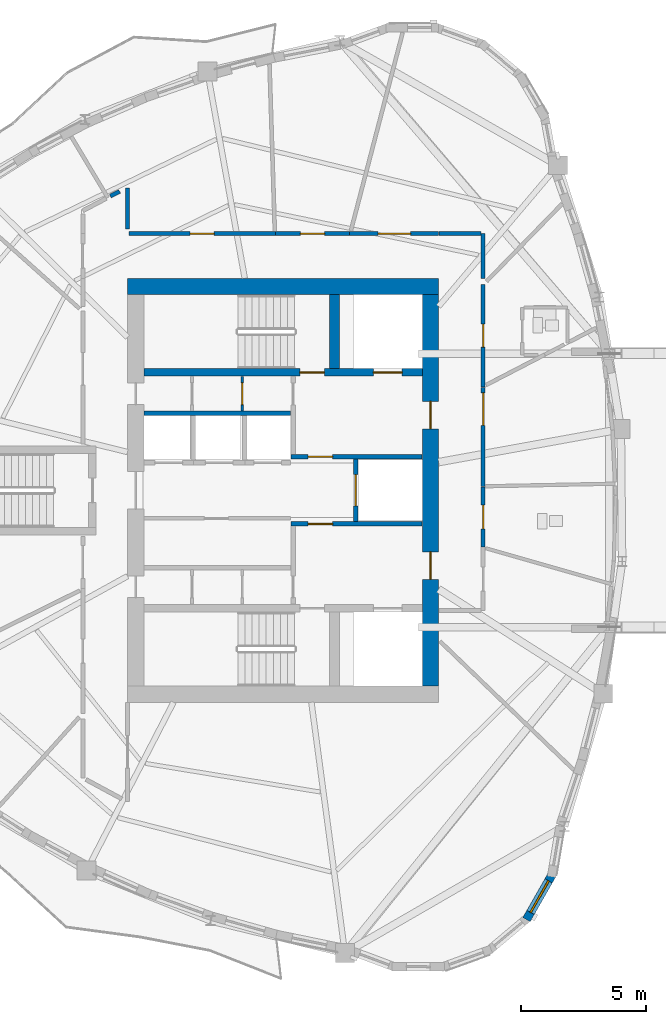
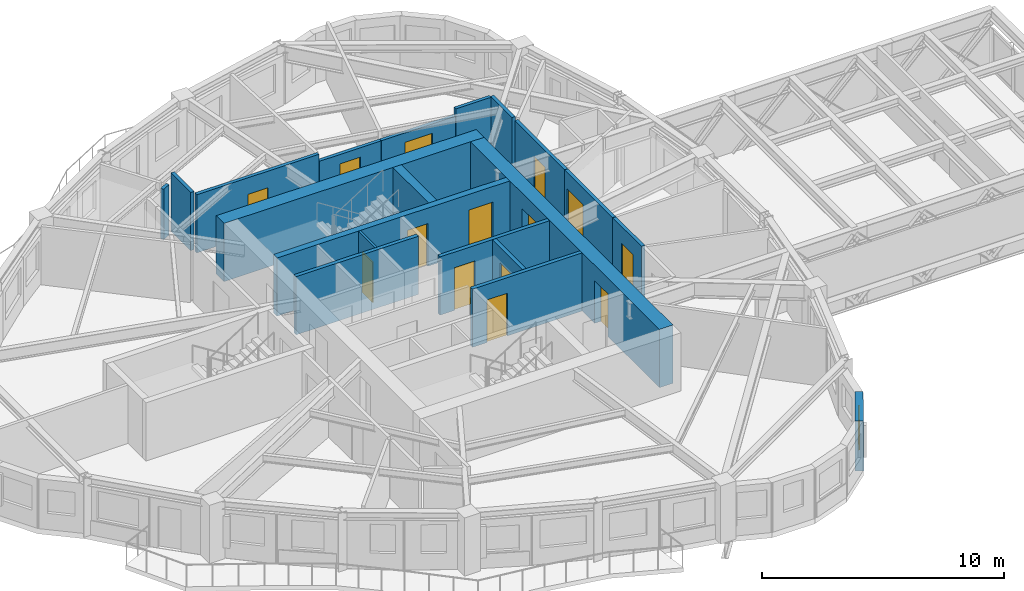
# One storey, part 7 of 13: 20 walls, 14 doors, 1 window, 15 openings.
"""IFC4 building model written with IfcOpenShell, lengths in metres."""

import ifcopenshell
import ifcopenshell.guid

model = None  # the IFC model being written
_history = None  # IfcOwnerHistory: only IFC2X3 demands one
_inside = {}  # id of a spatial element -> (the spatial element, [elements in it])
_under = {}  # id of a project, library or spatial element -> (it, [spatial elements below it])
_declared = {}  # id of a project -> (the project, [libraries it declares])
_typed = {}  # id of a type object -> (the type object, [elements of that type])
_made_of = {}  # id of a material, layer set ... -> (it, [elements and type objects made of it])


def new_model(schema):
    """Start an empty IFC model of exactly this schema.

    Asked for "IFC4X3", IfcOpenShell would pick the latest addendum, in which some entities
    have other attributes; the version numbers below select the first issue.
    IFC2X3 requires an IfcOwnerHistory on every rooted entity: one is made here for all.
    """
    global model, _history
    if schema == "IFC4X3":
        model = ifcopenshell.file(schema_version=(4, 3, 0, 0))
    else:
        model = ifcopenshell.file(schema=schema)
    _inside.clear()
    _under.clear()
    _declared.clear()
    _typed.clear()
    _made_of.clear()
    _history = None
    if model.schema == "IFC2X3":
        org = make("IfcOrganization", Name="unknown")
        user = make(
            "IfcPersonAndOrganization",
            ThePerson=make("IfcPerson", FamilyName="unknown"),
            TheOrganization=org,
        )
        app = make(
            "IfcApplication",
            ApplicationDeveloper=org,
            Version="unknown",
            ApplicationFullName="unknown",
            ApplicationIdentifier="unknown",
        )
        _history = make(
            "IfcOwnerHistory",
            OwningUser=user,
            OwningApplication=app,
            ChangeAction="ADDED",
            CreationDate=0,
        )
    return model


def make(cls, **values):
    """One entity of the class cls with the attributes given. An attribute that is None is left unset."""
    return model.create_entity(
        cls, **{name: value for name, value in values.items() if value is not None}
    )


def rooted(cls, **values):
    """An entity with a GlobalId (a new one), such as an element, a storey or a relation."""
    return make(cls, GlobalId=ifcopenshell.guid.new(), OwnerHistory=_history, **values)


def si_unit(unit_type, name, prefix=None):
    """IfcSIUnit, for example si_unit("LENGTHUNIT", "METRE", prefix="MILLI")."""
    return make("IfcSIUnit", UnitType=unit_type, Prefix=prefix, Name=name)


def assignment(units):
    """IfcUnitAssignment: the units of a project."""
    return None if units is None else make("IfcUnitAssignment", Units=units)


def point(xyz):
    """IfcCartesianPoint."""
    return None if xyz is None else make("IfcCartesianPoint", Coordinates=xyz)


def direction(xyz):
    """IfcDirection."""
    return None if xyz is None else make("IfcDirection", DirectionRatios=xyz)


def frame(location, z_axis=None, x_axis=None):
    """IfcAxis2Placement3D, a coordinate frame: its origin and axes. An axis left out is left unset."""
    return make(
        "IfcAxis2Placement3D",
        Location=point(location),
        Axis=direction(z_axis),
        RefDirection=direction(x_axis),
    )


def frame_2d(location, x_axis=None):
    """IfcAxis2Placement2D, a coordinate frame in the plane: its origin and x axis."""
    return make(
        "IfcAxis2Placement2D", Location=point(location), RefDirection=direction(x_axis)
    )


def origin():
    """The frame at (0, 0, 0) with its axes left unset."""
    return frame((0.0, 0.0, 0.0))


def place(relative_to, where):
    """IfcLocalPlacement: puts the frame where relative to a parent placement (None: the world)."""
    return make(
        "IfcLocalPlacement", PlacementRelTo=relative_to, RelativePlacement=where
    )


def context(
    kind, dimensions, precision=None, world=None, true_north=None, identifier=None
):
    """IfcGeometricRepresentationContext, for example the 3D "Model" context."""
    return make(
        "IfcGeometricRepresentationContext",
        ContextIdentifier=identifier,
        ContextType=kind,
        CoordinateSpaceDimension=dimensions,
        Precision=precision,
        WorldCoordinateSystem=world,
        TrueNorth=true_north,
    )


def subcontext(parent, identifier, kind, view, scale=None):
    """IfcGeometricRepresentationSubContext, for example "Body" below "Model"."""
    return make(
        "IfcGeometricRepresentationSubContext",
        ContextIdentifier=identifier,
        ContextType=kind,
        ParentContext=parent,
        TargetScale=scale,
        TargetView=view,
    )


def project(units=None, contexts=None):
    """IfcProject with its units and contexts."""
    return rooted(
        "IfcProject",
        Name="project",
        RepresentationContexts=contexts,
        UnitsInContext=assignment(units),
    )


def spatial(cls, under=None, at=None, **own):
    """A site, building, storey or space (cls), placed at a placement, below another one or the project."""
    s = rooted(cls, ObjectPlacement=at, **own)
    if under is not None:
        _under.setdefault(under.id(), (under, []))[1].append(s)
    return s


def profile(cls, at=None, kind="AREA", **sizes):
    """A parametric profile (cls). Its sizes go by their IFC names, for example OverallWidth=200.0."""
    return make(cls, ProfileType=kind, Position=at, **sizes)


def rectangle(**sizes):
    """IfcRectangleProfileDef."""
    return profile("IfcRectangleProfileDef", **sizes)


def extrude(swept, where, along, depth):
    """IfcExtrudedAreaSolid: the profile swept, set in the frame where, extruded along a direction by depth."""
    return make(
        "IfcExtrudedAreaSolid",
        SweptArea=swept,
        Position=where,
        ExtrudedDirection=direction(along),
        Depth=depth,
    )


def shape(context_of_items, identifier, shape_type, items):
    """IfcShapeRepresentation: the items that make up one representation, for example the "Body"."""
    return make(
        "IfcShapeRepresentation",
        ContextOfItems=context_of_items,
        RepresentationIdentifier=identifier,
        RepresentationType=shape_type,
        Items=items,
    )


def source(mapping_origin, context_of_items, identifier, shape_type, items):
    """IfcRepresentationMap: a shape defined once, which mapped items show again and again."""
    return make(
        "IfcRepresentationMap",
        MappingOrigin=mapping_origin,
        MappedRepresentation=shape(context_of_items, identifier, shape_type, items),
    )


def transform(
    local_origin,
    x_axis=None,
    y_axis=None,
    z_axis=None,
    scale=None,
    scale2=None,
    scale3=None,
    uniform=True,
):
    """IfcCartesianTransformationOperator3D, or its non-uniform kind. x_axis, y_axis, z_axis: its Axis1, 2, 3."""
    if uniform:
        return make(
            "IfcCartesianTransformationOperator3D",
            Axis1=direction(x_axis),
            Axis2=direction(y_axis),
            LocalOrigin=point(local_origin),
            Scale=scale,
            Axis3=direction(z_axis),
        )
    return make(
        "IfcCartesianTransformationOperator3DnonUniform",
        Axis1=direction(x_axis),
        Axis2=direction(y_axis),
        LocalOrigin=point(local_origin),
        Scale=scale,
        Axis3=direction(z_axis),
        Scale2=scale2,
        Scale3=scale3,
    )


def mapped(mapping_source, mapping_target):
    """IfcMappedItem: shows the shape of a source again, moved by a transform."""
    return make(
        "IfcMappedItem", MappingSource=mapping_source, MappingTarget=mapping_target
    )


def material(Name=None, Category=None):
    """IfcMaterial."""
    return make("IfcMaterial", Name=Name, Category=Category)


def layer(
    of_material, thickness, ventilated=None, Name=None, Category=None, Priority=None
):
    """IfcMaterialLayer: one layer of a wall or slab, of a material (None: an air gap)."""
    return make(
        "IfcMaterialLayer",
        Material=of_material,
        LayerThickness=thickness,
        IsVentilated=ventilated,
        Name=Name,
        Category=Category,
        Priority=Priority,
    )


def layer_set(layers, Name=None):
    """IfcMaterialLayerSet."""
    return make("IfcMaterialLayerSet", MaterialLayers=layers, LayerSetName=Name)


def made_of(thing, what):
    """Note that an element or type object is made of a material, layer set ...; save() writes the relation."""
    if what is not None:
        _made_of.setdefault(what.id(), (what, []))[1].append(thing)
    return thing


def type_object(cls, material=None, **own):
    """A type object (cls), such as IfcWallType, which elements share."""
    return made_of(rooted(cls, **own), material)


def element(
    cls,
    number,
    at=None,
    inside=None,
    cuts=None,
    type_object=None,
    material=None,
    context=None,
    identifier="Body",
    shape_type=None,
    held_by="IfcProductDefinitionShape",
    body=None,
    shapes=None,
    **own,
):
    """One element of the class cls, such as IfcWall. Its Tag is "e" and its number.

    at: its placement. inside: the storey or other place that contains it. cuts: it is an
    opening in that element (IfcRelVoidsElement). A single representation is given by context,
    identifier, shape_type and body (its items); several are given by shapes. held_by: the class
    of the entity that holds the representations. save() writes the other relations.
    """
    e = rooted(cls, Tag="e%d" % number, ObjectPlacement=at, **own)
    if body is not None:
        shapes = [shape(context, identifier, shape_type, body)]
    if shapes is not None:
        e.Representation = make(held_by, Representations=shapes)
    if inside is not None:
        _inside.setdefault(inside.id(), (inside, []))[1].append(e)
    if cuts is not None:
        rooted(
            "IfcRelVoidsElement", RelatingBuildingElement=cuts, RelatedOpeningElement=e
        )
    if type_object is not None:
        _typed.setdefault(type_object.id(), (type_object, []))[1].append(e)
    return made_of(e, material)


def fill(opening, filler):
    """IfcRelFillsElement: the door or window that sits in an opening."""
    return rooted(
        "IfcRelFillsElement",
        RelatingOpeningElement=opening,
        RelatedBuildingElement=filler,
    )


def aggregate(whole, parts):
    """IfcRelAggregates: a whole, such as a stair, and the parts it consists of."""
    return rooted("IfcRelAggregates", RelatingObject=whole, RelatedObjects=parts)


def save(model, path):
    """Write the relations noted so far, then the file.

    IfcRelAggregates (storeys below a building ...), IfcRelContainedInSpatialStructure (elements
    in a storey), IfcRelDefinesByType, IfcRelAssociatesMaterial and IfcRelDeclares: one each for
    every whole, place, type object, material and project.
    """
    for whole, parts in _under.values():
        aggregate(whole, parts)
    for where, things in _inside.values():
        rooted(
            "IfcRelContainedInSpatialStructure",
            RelatedElements=things,
            RelatingStructure=where,
        )
    for kind, things in _typed.values():
        rooted("IfcRelDefinesByType", RelatedObjects=things, RelatingType=kind)
    for what, things in _made_of.values():
        rooted("IfcRelAssociatesMaterial", RelatedObjects=things, RelatingMaterial=what)
    for by, libraries in _declared.values():
        rooted("IfcRelDeclares", RelatingContext=by, RelatedDefinitions=libraries)
    model.write(path)


model = new_model("IFC4")

# Units and contexts
model_context = context("Model", 3, precision=1e-05, world=origin(), true_north=direction((0.0, 1.0)))
body_context = subcontext(model_context, "Body", "Model", "MODEL_VIEW")
ifc_project = project(units=[si_unit("LENGTHUNIT", "METRE"), si_unit("AREAUNIT", "SQUARE_METRE"), si_unit("VOLUMEUNIT", "CUBIC_METRE"), si_unit("PLANEANGLEUNIT", "RADIAN"), si_unit("MASSUNIT", "GRAM", prefix="KILO")], contexts=[model_context])

# Site, building, storey
site_placement = place(None, origin())
site = spatial("IfcSite", under=ifc_project, at=site_placement, CompositionType="ELEMENT")
building_placement = place(site_placement, origin())
building = spatial("IfcBuilding", under=site, at=building_placement, Name="Qafzar Sky-Pleat Residences", CompositionType="ELEMENT")
storey_placement = place(building_placement, frame((0.0, 0.0, 152.199951171875)))
storey = spatial("IfcBuildingStorey", under=building, at=storey_placement, Name="L45", CompositionType="ELEMENT", Elevation=152.199951171875)

# Wall, opening, door
ifc_material_1 = material(Name="Acoustic gypsum plasterboard partition", Category="gypsum")
ifc_layer_1 = layer(ifc_material_1, 0.159912109375)
ifc_layer_set_1 = layer_set([ifc_layer_1], Name="Acoustic gypsum plasterboard partition")
wall_type_1 = type_object("IfcWallType", Name="PART-COR-160", PredefinedType="PARTITIONING", material=ifc_layer_set_1)
wall_1_placement = place(storey_placement, frame((24.2080078125, 36.22998046875, 0.0), z_axis=(0.0, 0.0, 1.0), x_axis=(1.0, 0.0, 0.0)))
wall_1 = element("IfcWall", 1, at=wall_1_placement, inside=storey, type_object=wall_type_1, Name="L45 Partition Wall PART-L45-PW-002", PredefinedType="PARTITIONING", context=body_context, shape_type="SweptSolid", body=[
    extrude(rectangle(XDim=5.83203125, YDim=0.159912109375, at=frame_2d((2.916015625, 0.0))), origin(), (0.0, 0.0, 1.0), 2.93505859375),
])
opening_1_placement = place(wall_1_placement, frame((2.4375, 0.0, 0.0)))
opening_1 = element("IfcOpeningElement", 2, at=opening_1_placement, cuts=wall_1, Name="Opening ID-06", PredefinedType="OPENING", context=body_context, shape_type="SweptSolid", body=[
    extrude(rectangle(XDim=0.9599609375, YDim=2.10009765625, at=frame_2d((0.47998046875, 1.050048828125))), frame((0.0, 0.08984375, 0.0), z_axis=(0.0, -1.0, 0.0), x_axis=(1.0, 0.0, 0.0)), (0.0, 0.0, 1.0), 0.179931640625),
])
ifc_material_2 = material(Name="Timber-faced fire door", Category="wood")
door_type_1 = type_object("IfcDoorType", Name="DR-STD-960", OperationType="NOTDEFINED", PredefinedType="DOOR", material=ifc_material_2)
shared_shape_1 = source(origin(), body_context, "Body", "SweptSolid", [
    extrude(rectangle(XDim=0.9599609375, YDim=2.10009765625, at=frame_2d((0.47998046875, 1.050048828125))), frame((0.0, 0.02490234375, 0.0), z_axis=(0.0, -1.0, 0.0), x_axis=(1.0, 0.0, 0.0)), (0.0, 0.0, 1.0), 0.050048828125),
])
door_1_placement = place(opening_1_placement, origin())
door_1 = element("IfcDoor", 3, at=door_1_placement, inside=storey, type_object=door_type_1, Name="L45 Faculty Research Office Door", OperationType="SINGLE_SWING_LEFT", OverallHeight=2.10009765625, OverallWidth=0.9599609375, PredefinedType="DOOR", context=body_context, shape_type="MappedRepresentation", body=[
    mapped(shared_shape_1, transform((0.0, 0.0, 0.0), x_axis=(1.0, 0.0, 0.0), y_axis=(0.0, 1.0, 0.0), z_axis=(0.0, 0.0, 1.0), scale=1.0)),
])
fill(opening_1, door_1)

wall_2_placement = place(storey_placement, frame((38.330078125, 34.214111328125, 0.0), z_axis=(0.0, 0.0, 1.0), x_axis=(0.0, -1.0, 0.0)))
wall_2 = element("IfcWall", 4, at=wall_2_placement, inside=storey, type_object=wall_type_1, Name="L45 Partition Wall PART-L45-PW-005", PredefinedType="PARTITIONING", context=body_context, shape_type="SweptSolid", body=[
    extrude(rectangle(XDim=4.093017578125, YDim=0.159912109375, at=frame_2d((2.04638671875, 0.0))), origin(), (0.0, 0.0, 1.0), 2.93505859375),
])
opening_2_placement = place(wall_2_placement, frame((1.589111328125, 0.0, 0.0)))
opening_2 = element("IfcOpeningElement", 5, at=opening_2_placement, cuts=wall_2, Name="Opening ID-04", PredefinedType="OPENING", context=body_context, shape_type="SweptSolid", body=[
    extrude(rectangle(XDim=0.919921875, YDim=2.10009765625, at=frame_2d((0.4599609375, 1.050048828125))), frame((0.0, 0.08984375, 0.0), z_axis=(0.0, -1.0, 0.0), x_axis=(1.0, 0.0, 0.0)), (0.0, 0.0, 1.0), 0.179931640625),
])
door_type_2 = type_object("IfcDoorType", Name="DR-BED-920", OperationType="NOTDEFINED", PredefinedType="DOOR", material=ifc_material_2)
shared_shape_2 = source(origin(), body_context, "Body", "SweptSolid", [
    extrude(rectangle(XDim=0.919921875, YDim=2.10009765625, at=frame_2d((0.4599609375, 1.050048828125))), frame((0.0, 0.02490234375, 0.0), z_axis=(0.0, -1.0, 0.0), x_axis=(1.0, 0.0, 0.0)), (0.0, 0.0, 1.0), 0.050048828125),
])
door_2_placement = place(opening_2_placement, origin())
door_2 = element("IfcDoor", 6, at=door_2_placement, inside=storey, type_object=door_type_2, Name="L45 Co-Living Bedroom 1 Door", OperationType="SINGLE_SWING_LEFT", OverallHeight=2.10009765625, OverallWidth=0.919921875, PredefinedType="DOOR", context=body_context, shape_type="MappedRepresentation", body=[
    mapped(shared_shape_2, transform((0.0, 0.0, 0.0), x_axis=(1.0, 0.0, 0.0), y_axis=(0.0, 1.0, 0.0), z_axis=(0.0, 0.0, 1.0), scale=1.0)),
])
fill(opening_2, door_2)

wall_3_placement = place(storey_placement, frame((38.330078125, 30.10595703125, 0.0), z_axis=(0.0, 0.0, 1.0), x_axis=(0.0, -1.0, 0.0)))
wall_3 = element("IfcWall", 7, at=wall_3_placement, inside=storey, type_object=wall_type_1, Name="L45 Partition Wall PART-L45-PW-006", PredefinedType="PARTITIONING", context=body_context, shape_type="SweptSolid", body=[
    extrude(rectangle(XDim=3.9619140625, YDim=0.159912109375, at=frame_2d((1.98095703125, 0.0))), origin(), (0.0, 0.0, 1.0), 2.93505859375),
])
opening_3_placement = place(wall_3_placement, frame((0.219970703125, 0.0, 0.0)))
opening_3 = element("IfcOpeningElement", 8, at=opening_3_placement, cuts=wall_3, Name="Opening ID-05", PredefinedType="OPENING", context=body_context, shape_type="SweptSolid", body=[
    extrude(rectangle(XDim=1.300048828125, YDim=2.10009765625, at=frame_2d((0.64990234375, 1.050048828125))), frame((0.0, 0.08984375, 0.0), z_axis=(0.0, -1.0, 0.0), x_axis=(1.0, 0.0, 0.0)), (0.0, 0.0, 1.0), 0.179931640625),
])
door_type_3 = type_object("IfcDoorType", Name="DR-LNG-1300", OperationType="DOUBLE_DOOR_SINGLE_SWING", PredefinedType="DOOR", material=ifc_material_2)
shared_shape_3 = source(origin(), body_context, "Body", "SweptSolid", [
    extrude(rectangle(XDim=1.300048828125, YDim=2.10009765625, at=frame_2d((0.64990234375, 1.050048828125))), frame((0.0, 0.02490234375, 0.0), z_axis=(0.0, -1.0, 0.0), x_axis=(1.0, 0.0, 0.0)), (0.0, 0.0, 1.0), 0.050048828125),
])
door_3_placement = place(opening_3_placement, origin())
door_3 = element("IfcDoor", 9, at=door_3_placement, inside=storey, type_object=door_type_3, Name="L45 Co-Living Lounge Door", OperationType="DOUBLE_DOOR_SINGLE_SWING", OverallHeight=2.10009765625, OverallWidth=1.300048828125, PredefinedType="DOOR", context=body_context, shape_type="MappedRepresentation", body=[
    mapped(shared_shape_3, transform((0.0, 0.0, 0.0), x_axis=(1.0, 0.0, 0.0), y_axis=(0.0, 1.0, 0.0), z_axis=(0.0, 0.0, 1.0), scale=1.0)),
])
fill(opening_3, door_3)

wall_4_placement = place(storey_placement, frame((33.008056640625, 36.22998046875, 0.0), z_axis=(0.0, 0.0, 1.0), x_axis=(1.0, 0.0, 0.0)))
wall_4 = element("IfcWall", 10, at=wall_4_placement, inside=storey, type_object=wall_type_1, Name="L45 Partition Wall PART-L45-PW-008", PredefinedType="PARTITIONING", context=body_context, shape_type="SweptSolid", body=[
    extrude(rectangle(XDim=3.5419921875, YDim=0.159912109375, at=frame_2d((1.77099609375, 0.0))), origin(), (0.0, 0.0, 1.0), 2.572998046875),
])
opening_4_placement = place(wall_4_placement, frame((1.12890625, 0.0, 0.0)))
opening_4 = element("IfcOpeningElement", 11, at=opening_4_placement, cuts=wall_4, Name="Opening ID-05", PredefinedType="OPENING", context=body_context, shape_type="SweptSolid", body=[
    extrude(rectangle(XDim=1.300048828125, YDim=2.10009765625, at=frame_2d((0.64990234375, 1.050048828125))), frame((0.0, 0.08984375, 0.0), z_axis=(0.0, -1.0, 0.0), x_axis=(1.0, 0.0, 0.0)), (0.0, 0.0, 1.0), 0.179931640625),
])
door_4_placement = place(opening_4_placement, origin())
door_4 = element("IfcDoor", 12, at=door_4_placement, inside=storey, type_object=door_type_3, Name="L45 Graduate Lecture Room Door", OperationType="DOUBLE_DOOR_SINGLE_SWING", OverallHeight=2.10009765625, OverallWidth=1.300048828125, PredefinedType="DOOR", context=body_context, shape_type="MappedRepresentation", body=[
    mapped(shared_shape_3, transform((0.0, 0.0, 0.0), x_axis=(1.0, 0.0, 0.0), y_axis=(0.0, 1.0, 0.0), z_axis=(0.0, 0.0, 1.0), scale=1.0)),
])
fill(opening_4, door_4)

wall_5_placement = place(storey_placement, frame((30.054931640625, 36.22998046875, 0.0), z_axis=(0.0, 0.0, 1.0), x_axis=(1.0, 0.0, 0.0)))
wall_5 = element("IfcWall", 13, at=wall_5_placement, inside=storey, type_object=wall_type_1, Name="L45 Partition Wall PART-L45-PW-009", PredefinedType="PARTITIONING", context=body_context, shape_type="SweptSolid", body=[
    extrude(rectangle(XDim=2.93798828125, YDim=0.159912109375, at=frame_2d((1.468994140625, 0.0))), origin(), (0.0, 0.0, 1.0), 2.572998046875),
])
opening_5_placement = place(wall_5_placement, frame((0.989501953125, 0.0, 0.0)))
opening_5 = element("IfcOpeningElement", 14, at=opening_5_placement, cuts=wall_5, Name="Opening ID-06", PredefinedType="OPENING", context=body_context, shape_type="SweptSolid", body=[
    extrude(rectangle(XDim=0.9599609375, YDim=2.10009765625, at=frame_2d((0.47998046875, 1.050048828125))), frame((0.0, 0.08984375, 0.0), z_axis=(0.0, -1.0, 0.0), x_axis=(1.0, 0.0, 0.0)), (0.0, 0.0, 1.0), 0.179931640625),
])
door_5_placement = place(opening_5_placement, origin())
door_5 = element("IfcDoor", 15, at=door_5_placement, inside=storey, type_object=door_type_1, Name="L45 Wellness Yoga Studio Door", OperationType="SINGLE_SWING_RIGHT", OverallHeight=2.10009765625, OverallWidth=0.9599609375, PredefinedType="DOOR", context=body_context, shape_type="MappedRepresentation", body=[
    mapped(shared_shape_1, transform((0.0, 0.0, 0.0), x_axis=(1.0, 0.0, 0.0), y_axis=(0.0, 1.0, 0.0), z_axis=(0.0, 0.0, 1.0), scale=1.0)),
])
fill(opening_5, door_5)

wall_6_placement = place(storey_placement, frame((38.330078125, 26.12890625, 0.0), z_axis=(0.0, 0.0, 1.0), x_axis=(0.0, -1.0, 0.0)))
wall_6 = element("IfcWall", 16, at=wall_6_placement, inside=storey, type_object=wall_type_1, Name="L45 Partition Wall PART-L45-PW-012", PredefinedType="PARTITIONING", context=body_context, shape_type="SweptSolid", body=[
    extrude(rectangle(XDim=2.37890625, YDim=0.159912109375, at=frame_2d((1.189453125, 0.0))), origin(), (0.0, 0.0, 1.0), 2.93505859375),
])
opening_6_placement = place(wall_6_placement, frame((0.715087890625, 0.0, 0.0)))
opening_6 = element("IfcOpeningElement", 17, at=opening_6_placement, cuts=wall_6, Name="Opening ID-08", PredefinedType="OPENING", context=body_context, shape_type="SweptSolid", body=[
    extrude(rectangle(XDim=0.949951171875, YDim=2.10009765625, at=frame_2d((0.47509765625, 1.050048828125))), frame((0.0, 0.08984375, 0.0), z_axis=(0.0, -1.0, 0.0), x_axis=(1.0, 0.0, 0.0)), (0.0, 0.0, 1.0), 0.179931640625),
])
door_type_4 = type_object("IfcDoorType", Name="DR-AWC-950", OperationType="NOTDEFINED", PredefinedType="DOOR", material=ifc_material_2)
shared_shape_4 = source(origin(), body_context, "Body", "SweptSolid", [
    extrude(rectangle(XDim=0.949951171875, YDim=2.10009765625, at=frame_2d((0.47509765625, 1.050048828125))), frame((0.0, 0.02490234375, 0.0), z_axis=(0.0, -1.0, 0.0), x_axis=(1.0, 0.0, 0.0)), (0.0, 0.0, 1.0), 0.050048828125),
])
door_6_placement = place(opening_6_placement, origin())
door_6 = element("IfcDoor", 18, at=door_6_placement, inside=storey, type_object=door_type_4, Name="L45 Accessible Shared Washroom Door", OperationType="SINGLE_SWING_LEFT", OverallHeight=2.10009765625, OverallWidth=0.949951171875, PredefinedType="DOOR", context=body_context, shape_type="MappedRepresentation", body=[
    mapped(shared_shape_4, transform((0.0, 0.0, 0.0), x_axis=(1.0, 0.0, 0.0), y_axis=(0.0, 1.0, 0.0), z_axis=(0.0, 0.0, 1.0), scale=1.0)),
])
fill(opening_6, door_6)

# Walls
wall_7_placement = place(storey_placement, frame((38.330078125, 34.449951171875, 0.0), z_axis=(0.0, 0.0, 1.0), x_axis=(0.0, 1.0, 0.0)))
element("IfcWall", 19, at=wall_7_placement, inside=storey, type_object=wall_type_1, Name="L45 Partition Wall PART-L45-PW-033", PredefinedType="PARTITIONING", context=body_context, shape_type="SweptSolid", body=[
    extrude(rectangle(XDim=1.780029296875, YDim=0.159912109375, at=frame_2d((0.89013671875, 0.0))), origin(), (0.0, 0.0, 1.0), 2.93505859375),
])
wall_8_placement = place(storey_placement, frame((36.56494140625, 36.22998046875, 0.0), z_axis=(0.0, 0.0, 1.0), x_axis=(1.0, 0.0, 0.0)))
element("IfcWall", 20, at=wall_8_placement, inside=storey, type_object=wall_type_1, Name="L45 Partition Wall PART-L45-PW-035", PredefinedType="PARTITIONING", context=body_context, shape_type="SweptSolid", body=[
    extrude(rectangle(XDim=1.677001953125, YDim=0.159912109375, at=frame_2d((0.83837890625, 0.0))), origin(), (0.0, 0.0, 1.0), 2.93505859375),
])
wall_9_placement = place(storey_placement, frame((24.14990234375, 36.4150390625, 0.0), z_axis=(0.0, 0.0, 1.0), x_axis=(0.0, 1.0, 0.0)))
element("IfcWall", 21, at=wall_9_placement, inside=storey, type_object=wall_type_1, Name="L45 Partition Wall PART-L45-PW-036", PredefinedType="PARTITIONING", context=body_context, shape_type="SweptSolid", body=[
    extrude(rectangle(XDim=1.640869140625, YDim=0.159912109375, at=frame_2d((0.8203125, 0.0))), origin(), (0.0, 0.0, 1.0), 2.93505859375),
])
wall_10_placement = place(storey_placement, frame((23.46533203125, 37.723876953125, 0.0), z_axis=(0.0, 0.0, 1.0), x_axis=(0.884344349775, 0.466835164722, 0.0)))
element("IfcWall", 22, at=wall_10_placement, inside=storey, type_object=wall_type_1, Name="L45 Partition Wall PART-L45-PW-046", PredefinedType="PARTITIONING", context=body_context, shape_type="SweptSolid", body=[
    extrude(rectangle(XDim=0.415771484375, YDim=0.159912109375, at=frame_2d((0.2080078125, 0.0))), origin(), (0.0, 0.0, 1.0), 2.54296875),
])

# Wall, opening, door
ifc_material_3 = material(Name="Concrete blockwork partition", Category="masonry")
ifc_layer_2 = layer(ifc_material_3, 0.179931640625)
ifc_layer_set_2 = layer_set([ifc_layer_2], Name="Concrete blockwork partition")
wall_type_2 = type_object("IfcWallType", Name="PART-SHAFT-180", PredefinedType="PARTITIONING", material=ifc_layer_set_2)
wall_11_placement = place(storey_placement, frame((30.669921875, 24.659912109375, 0.0), z_axis=(0.0, 0.0, 1.0), x_axis=(1.0, 0.0, 0.0)))
wall_11 = element("IfcWall", 23, at=wall_11_placement, inside=storey, type_object=wall_type_2, Name="L45 Partition Wall PART-L45-FFL1-N", PredefinedType="PARTITIONING", context=body_context, shape_type="SweptSolid", body=[
    extrude(rectangle(XDim=5.219970703125, YDim=0.179931640625, at=frame_2d((2.60986328125, 0.0))), origin(), (0.0, 0.0, 1.0), 2.93505859375),
])
opening_7_placement = place(wall_11_placement, frame((0.679931640625, 0.0, 0.0)))
opening_7 = element("IfcOpeningElement", 24, at=opening_7_placement, cuts=wall_11, Name="Opening ID-01", PredefinedType="OPENING", context=body_context, shape_type="SweptSolid", body=[
    extrude(rectangle(XDim=0.97998046875, YDim=2.14990234375, at=frame_2d((0.489990234375, 1.074951171875))), frame((0.0, 0.10009765625, 0.0), z_axis=(0.0, -1.0, 0.0), x_axis=(1.0, 0.0, 0.0)), (0.0, 0.0, 1.0), 0.199951171875),
])
door_type_5 = type_object("IfcDoorType", Name="DR-STAIR-980", OperationType="NOTDEFINED", PredefinedType="DOOR", material=ifc_material_2)
shared_shape_5 = source(origin(), body_context, "Body", "SweptSolid", [
    extrude(rectangle(XDim=0.97998046875, YDim=2.14990234375, at=frame_2d((0.489990234375, 1.074951171875))), frame((0.0, 0.02490234375, 0.0), z_axis=(0.0, -1.0, 0.0), x_axis=(1.0, 0.0, 0.0)), (0.0, 0.0, 1.0), 0.050048828125),
])
door_7_placement = place(opening_7_placement, origin())
door_7 = element("IfcDoor", 25, at=door_7_placement, inside=storey, type_object=door_type_5, Name="L45 Lift Lobby to South Firefighting Lobby Door", OperationType="SINGLE_SWING_LEFT", OverallHeight=2.14990234375, OverallWidth=0.97998046875, PredefinedType="DOOR", context=body_context, shape_type="MappedRepresentation", body=[
    mapped(shared_shape_5, transform((0.0, 0.0, 0.0), x_axis=(1.0, 0.0, 0.0), y_axis=(0.0, 1.0, 0.0), z_axis=(0.0, 0.0, 1.0), scale=1.0)),
])
fill(opening_7, door_7)

wall_12_placement = place(storey_placement, frame((30.669921875, 27.340087890625, 0.0), z_axis=(0.0, 0.0, 1.0), x_axis=(1.0, 0.0, 0.0)))
wall_12 = element("IfcWall", 26, at=wall_12_placement, inside=storey, type_object=wall_type_2, Name="L45 Partition Wall PART-L45-FFL2-S", PredefinedType="PARTITIONING", context=body_context, shape_type="SweptSolid", body=[
    extrude(rectangle(XDim=5.219970703125, YDim=0.179931640625, at=frame_2d((2.60986328125, 0.0))), origin(), (0.0, 0.0, 1.0), 2.93505859375),
])
opening_8_placement = place(wall_12_placement, frame((0.679931640625, 0.0, 0.0)))
opening_8 = element("IfcOpeningElement", 27, at=opening_8_placement, cuts=wall_12, Name="Opening ID-01", PredefinedType="OPENING", context=body_context, shape_type="SweptSolid", body=[
    extrude(rectangle(XDim=0.97998046875, YDim=2.14990234375, at=frame_2d((0.489990234375, 1.074951171875))), frame((0.0, 0.10009765625, 0.0), z_axis=(0.0, -1.0, 0.0), x_axis=(1.0, 0.0, 0.0)), (0.0, 0.0, 1.0), 0.199951171875),
])
door_8_placement = place(opening_8_placement, origin())
door_8 = element("IfcDoor", 28, at=door_8_placement, inside=storey, type_object=door_type_5, Name="L45 Lift Lobby to North Firefighting Lobby Door", OperationType="SINGLE_SWING_LEFT", OverallHeight=2.14990234375, OverallWidth=0.97998046875, PredefinedType="DOOR", context=body_context, shape_type="MappedRepresentation", body=[
    mapped(shared_shape_5, transform((0.0, 0.0, 0.0), x_axis=(1.0, 0.0, 0.0), y_axis=(0.0, 1.0, 0.0), z_axis=(0.0, 0.0, 1.0), scale=1.0)),
])
fill(opening_8, door_8)

wall_13_placement = place(storey_placement, frame((33.25, 24.760009765625, 0.0), z_axis=(0.0, 0.0, 1.0), x_axis=(0.0, 1.0, 0.0)))
wall_13 = element("IfcWall", 29, at=wall_13_placement, inside=storey, type_object=wall_type_2, Name="L45 Partition Wall PART-L45-SV1-W", PredefinedType="PARTITIONING", context=body_context, shape_type="SweptSolid", body=[
    extrude(rectangle(XDim=2.47998046875, YDim=0.179931640625, at=frame_2d((1.239990234375, 0.0))), origin(), (0.0, 0.0, 1.0), 2.93505859375),
])
opening_9_placement = place(wall_13_placement, frame((0.614990234375, 0.0, 0.0)))
opening_9 = element("IfcOpeningElement", 30, at=opening_9_placement, cuts=wall_13, Name="Opening LD-03", PredefinedType="OPENING", context=body_context, shape_type="SweptSolid", body=[
    extrude(rectangle(XDim=1.25, YDim=2.14990234375, at=frame_2d((0.625, 1.074951171875))), frame((0.0, 0.10009765625, 0.0), z_axis=(0.0, -1.0, 0.0), x_axis=(1.0, 0.0, 0.0)), (0.0, 0.0, 1.0), 0.199951171875),
])
ifc_material_4 = material(Name="Stainless steel sliding landing door", Category="steel")
door_type_6 = type_object("IfcDoorType", Name="DR-LIFT-SV", OperationType="DOUBLE_DOOR_SLIDING", PredefinedType="DOOR", material=ifc_material_4)
shared_shape_6 = source(origin(), body_context, "Body", "SweptSolid", [
    extrude(rectangle(XDim=1.25, YDim=2.14990234375, at=frame_2d((0.625, 1.074951171875))), frame((0.0, 0.02490234375, 0.0), z_axis=(0.0, -1.0, 0.0), x_axis=(1.0, 0.0, 0.0)), (0.0, 0.0, 1.0), 0.050048828125),
])
door_9_placement = place(opening_9_placement, origin())
door_9 = element("IfcDoor", 31, at=door_9_placement, inside=storey, type_object=door_type_6, Name="L45 Service Lift SV1 Landing Door", OperationType="DOUBLE_DOOR_SLIDING", OverallHeight=2.14990234375, OverallWidth=1.25, PredefinedType="DOOR", context=body_context, shape_type="MappedRepresentation", body=[
    mapped(shared_shape_6, transform((0.0, 0.0, 0.0), x_axis=(1.0, 0.0, 0.0), y_axis=(0.0, 1.0, 0.0), z_axis=(0.0, 0.0, 1.0), scale=1.0)),
])
fill(opening_9, door_9)

# Wall
wall_14_placement = place(storey_placement, frame((24.81005859375, 29.080078125, 0.0), z_axis=(0.0, 0.0, 1.0), x_axis=(1.0, 0.0, 0.0)))
element("IfcWall", 32, at=wall_14_placement, inside=storey, type_object=wall_type_2, Name="L45 Partition Wall PART-L45-P46-N", PredefinedType="PARTITIONING", context=body_context, shape_type="SweptSolid", body=[
    extrude(rectangle(XDim=5.83984375, YDim=0.179931640625, at=frame_2d((2.919921875, 0.0))), origin(), (0.0, 0.0, 1.0), 2.93505859375),
])

# Wall, opening, door
ifc_material_5 = material(Name="Gypsum plasterboard partition", Category="gypsum")
ifc_layer_3 = layer(ifc_material_5, 0.114990234375)
ifc_layer_set_3 = layer_set([ifc_layer_3], Name="Gypsum plasterboard partition")
wall_type_3 = type_object("IfcWallType", Name="PART-SVC-115", PredefinedType="PARTITIONING", material=ifc_layer_set_3)
wall_15_placement = place(storey_placement, frame((28.72509765625, 29.159912109375, 0.0), z_axis=(0.0, 0.0, 1.0), x_axis=(0.0, 1.0, 0.0)))
wall_15 = element("IfcWall", 33, at=wall_15_placement, inside=storey, type_object=wall_type_3, Name="L45 Partition Wall PART-L45-KC-NW-2", PredefinedType="PARTITIONING", context=body_context, shape_type="SweptSolid", body=[
    extrude(rectangle(XDim=1.380126953125, YDim=0.114990234375, at=frame_2d((0.68994140625, 0.0))), origin(), (0.0, 0.0, 1.0), 2.93505859375),
])
opening_10_placement = place(wall_15_placement, frame((0.260009765625, 0.0, 0.0)))
opening_10 = element("IfcOpeningElement", 34, at=opening_10_placement, cuts=wall_15, Name="Opening ID-09", PredefinedType="OPENING", context=body_context, shape_type="SweptSolid", body=[
    extrude(rectangle(XDim=0.860107421875, YDim=2.050048828125, at=frame_2d((0.43017578125, 1.02490234375))), frame((0.0, 0.0673828125, 0.0), z_axis=(0.0, -1.0, 0.0), x_axis=(1.0, 0.0, 0.0)), (0.0, 0.0, 1.0), 0.135009765625),
])
door_type_7 = type_object("IfcDoorType", Name="DR-SVC-860", OperationType="NOTDEFINED", PredefinedType="DOOR", material=ifc_material_2)
shared_shape_7 = source(origin(), body_context, "Body", "SweptSolid", [
    extrude(rectangle(XDim=0.860107421875, YDim=2.050048828125, at=frame_2d((0.43017578125, 1.02490234375))), frame((0.0, 0.02490234375, 0.0), z_axis=(0.0, -1.0, 0.0), x_axis=(1.0, 0.0, 0.0)), (0.0, 0.0, 1.0), 0.050048828125),
])
door_10_placement = place(opening_10_placement, origin())
door_10 = element("IfcDoor", 35, at=door_10_placement, inside=storey, type_object=door_type_7, Name="L45 Core North Cupboard 2 Door", OperationType="SINGLE_SWING_RIGHT", OverallHeight=2.050048828125, OverallWidth=0.860107421875, PredefinedType="DOOR", context=body_context, shape_type="MappedRepresentation", body=[
    mapped(shared_shape_7, transform((0.0, 0.0, 0.0), x_axis=(1.0, 0.0, 0.0), y_axis=(0.0, 1.0, 0.0), z_axis=(0.0, 0.0, 1.0), scale=1.0)),
])
fill(opening_10, door_10)

# Wall, opening, window
ifc_material_6 = material(Name="Precast concrete C40/50 with honed Riyadh limestone", Category="concrete")
ifc_layer_4 = layer(ifc_material_6, 0.340087890625)
ifc_layer_set_4 = layer_set([ifc_layer_4], Name="Precast concrete C40/50 with honed Riyadh limestone")
wall_type_4 = type_object("IfcWallType", Name="WALL-EXT-340", PredefinedType="SOLIDWALL", material=ifc_layer_set_4)
wall_16_placement = place(storey_placement, frame((40.054443359375, 8.886474609375, 0.0), z_axis=(0.0, 0.0, 1.0), x_axis=(0.495852152567, 0.868406956901, 0.0)))
wall_16 = element("IfcWall", 36, at=wall_16_placement, inside=storey, type_object=wall_type_4, Name="L45 Limestone Facade Wall 21", PredefinedType="SOLIDWALL", context=body_context, shape_type="SweptSolid", body=[
    extrude(rectangle(XDim=2.10888671875, YDim=0.340087890625, at=frame_2d((1.054443359375, 0.0))), origin(), (0.0, 0.0, 1.0), 2.51513671875),
])
opening_11_placement = place(wall_16_placement, frame((0.329345703125, 0.0, 0.820068359375)))
opening_11 = element("IfcOpeningElement", 37, at=opening_11_placement, cuts=wall_16, Name="Opening WN-15", PredefinedType="OPENING", context=body_context, shape_type="SweptSolid", body=[
    extrude(rectangle(XDim=1.449951171875, YDim=1.25, at=frame_2d((0.72509765625, 0.625))), frame((0.0, 0.18017578125, 0.0), z_axis=(0.0, -1.0, 0.0), x_axis=(1.0, 0.0, 0.0)), (0.0, 0.0, 1.0), 0.360107421875),
])
ifc_material_7 = material(Name="Solar-control low-E glass in bronze aluminium frame", Category="glass")
window_type = type_object("IfcWindowType", Name="WIN-15", PartitioningType="SINGLE_PANEL", PredefinedType="WINDOW", material=ifc_material_7)
shared_shape_8 = source(origin(), body_context, "Body", "SweptSolid", [
    extrude(rectangle(XDim=1.449951171875, YDim=1.25, at=frame_2d((0.72509765625, 0.625))), frame((0.0, 0.030029296875, 0.0), z_axis=(0.0, -1.0, 0.0), x_axis=(1.0, 0.0, 0.0)), (0.0, 0.0, 1.0), 0.06005859375),
])
window_placement = place(opening_11_placement, origin())
window = element("IfcWindow", 38, at=window_placement, inside=storey, type_object=window_type, Name="L45 Punched Facade Window 21", OverallHeight=1.25, OverallWidth=1.449951171875, PartitioningType="SINGLE_PANEL", PredefinedType="WINDOW", context=body_context, shape_type="MappedRepresentation", body=[
    mapped(shared_shape_8, transform((0.0, 0.0, 0.0), x_axis=(1.0, 0.0, 0.0), y_axis=(0.0, 1.0, 0.0), z_axis=(0.0, 0.0, 1.0), scale=1.0)),
])
fill(opening_11, window)

# Wall, openings, doors
ifc_material_8 = material(Name="Concrete C60/75", Category="concrete")
ifc_layer_5 = layer(ifc_material_8, 0.300048828125)
ifc_layer_set_5 = layer_set([ifc_layer_5], Name="Concrete C60/75")
wall_type_5 = type_object("IfcWallType", Name="WALL-SHEAR-300", PredefinedType="SHEAR", material=ifc_layer_set_5)
wall_17_placement = place(storey_placement, frame((24.800048828125, 30.699951171875, 0.0), z_axis=(0.0, 0.0, 1.0), x_axis=(1.0, 0.0, 0.0)))
wall_17 = element("IfcWall", 39, at=wall_17_placement, inside=storey, type_object=wall_type_5, Name="L45 Stair ST2 and FF2 Shaft South Wall", PredefinedType="SHEAR", context=body_context, shape_type="SweptSolid", body=[
    extrude(rectangle(XDim=11.099853515625, YDim=0.300048828125, at=frame_2d((5.5498046875, 0.0))), origin(), (0.0, 0.0, 1.0), 2.93505859375),
])
opening_12_placement = place(wall_17_placement, frame((6.219970703125, 0.0, 0.0)))
opening_12 = element("IfcOpeningElement", 40, at=opening_12_placement, cuts=wall_17, Name="Opening ID-01", PredefinedType="OPENING", context=body_context, shape_type="SweptSolid", body=[
    extrude(rectangle(XDim=0.97998046875, YDim=2.14990234375, at=frame_2d((0.489990234375, 1.074951171875))), frame((0.0, 0.16015625, 0.0), z_axis=(0.0, -1.0, 0.0), x_axis=(1.0, 0.0, 0.0)), (0.0, 0.0, 1.0), 0.320068359375),
])
opening_13_placement = place(wall_17_placement, frame((9.14990234375, 0.0, 0.0)))
opening_13 = element("IfcOpeningElement", 41, at=opening_13_placement, cuts=wall_17, Name="Opening LD-02", PredefinedType="OPENING", context=body_context, shape_type="SweptSolid", body=[
    extrude(rectangle(XDim=1.14990234375, YDim=2.14990234375, at=frame_2d((0.574951171875, 1.074951171875))), frame((0.0, 0.16015625, 0.0), z_axis=(0.0, -1.0, 0.0), x_axis=(1.0, 0.0, 0.0)), (0.0, 0.0, 1.0), 0.320068359375),
])
door_11_placement = place(opening_12_placement, origin())
door_11 = element("IfcDoor", 42, at=door_11_placement, inside=storey, type_object=door_type_5, Name="L45 Stair ST2 Fire Door", OperationType="SINGLE_SWING_RIGHT", OverallHeight=2.14990234375, OverallWidth=0.97998046875, PredefinedType="DOOR", context=body_context, shape_type="MappedRepresentation", body=[
    mapped(shared_shape_5, transform((0.0, 0.0, 0.0), x_axis=(1.0, 0.0, 0.0), y_axis=(0.0, 1.0, 0.0), z_axis=(0.0, 0.0, 1.0), scale=1.0)),
])
fill(opening_12, door_11)
door_type_8 = type_object("IfcDoorType", Name="DR-LIFT-FF", OperationType="DOUBLE_DOOR_SLIDING", PredefinedType="DOOR", material=ifc_material_4)
shared_shape_9 = source(origin(), body_context, "Body", "SweptSolid", [
    extrude(rectangle(XDim=1.14990234375, YDim=2.14990234375, at=frame_2d((0.574951171875, 1.074951171875))), frame((0.0, 0.02490234375, 0.0), z_axis=(0.0, -1.0, 0.0), x_axis=(1.0, 0.0, 0.0)), (0.0, 0.0, 1.0), 0.050048828125),
])
door_12_placement = place(opening_13_placement, origin())
door_12 = element("IfcDoor", 43, at=door_12_placement, inside=storey, type_object=door_type_8, Name="L45 Firefighting Lift FF2 Landing Door", OperationType="DOUBLE_DOOR_SLIDING", OverallHeight=2.14990234375, OverallWidth=1.14990234375, PredefinedType="DOOR", context=body_context, shape_type="MappedRepresentation", body=[
    mapped(shared_shape_9, transform((0.0, 0.0, 0.0), x_axis=(1.0, 0.0, 0.0), y_axis=(0.0, 1.0, 0.0), z_axis=(0.0, 0.0, 1.0), scale=1.0)),
])
fill(opening_13, door_12)

# Walls
ifc_layer_6 = layer(ifc_material_8, 0.39990234375)
ifc_layer_set_6 = layer_set([ifc_layer_6], Name="Concrete C60/75")
wall_type_6 = type_object("IfcWallType", Name="WALL-SHEAR-400", PredefinedType="SHEAR", material=ifc_layer_set_6)
wall_18_placement = place(storey_placement, frame((32.39990234375, 30.85009765625, 0.0), z_axis=(0.0, 0.0, 1.0), x_axis=(0.0, 1.0, 0.0)))
element("IfcWall", 44, at=wall_18_placement, inside=storey, type_object=wall_type_6, Name="L45 Stair ST2 East Dividing Wall", PredefinedType="SHEAR", context=body_context, shape_type="SweptSolid", body=[
    extrude(rectangle(XDim=2.949951171875, YDim=0.39990234375, at=frame_2d((1.47509765625, 0.0))), origin(), (0.0, 0.0, 1.0), 2.93505859375),
])
ifc_layer_7 = layer(ifc_material_8, 0.64990234375)
ifc_layer_set_7 = layer_set([ifc_layer_7], Name="Concrete C60/75")
wall_type_7 = type_object("IfcWallType", Name="WALL-SHEAR-650", PredefinedType="SHEAR", material=ifc_layer_set_7)
wall_19_placement = place(storey_placement, frame((36.550048828125, 34.125, 0.0), z_axis=(0.0, 0.0, 1.0), x_axis=(-1.0, 0.0, 0.0)))
element("IfcWall", 45, at=wall_19_placement, inside=storey, type_object=wall_type_7, Name="L45 CORE wall N", PredefinedType="SHEAR", context=body_context, shape_type="SweptSolid", body=[
    extrude(rectangle(XDim=12.400146484375, YDim=0.64990234375, at=frame_2d((6.2001953125, 0.0))), origin(), (0.0, 0.0, 1.0), 2.93505859375),
])

# Wall, openings, doors
wall_20_placement = place(storey_placement, frame((36.22509765625, 18.199951171875, 0.0), z_axis=(0.0, 0.0, 1.0), x_axis=(0.0, 1.0, 0.0)))
wall_20 = element("IfcWall", 46, at=wall_20_placement, inside=storey, type_object=wall_type_7, Name="L45 CORE wall E", PredefinedType="SHEAR", context=body_context, shape_type="SweptSolid", body=[
    extrude(rectangle(XDim=15.60009765625, YDim=0.64990234375, at=frame_2d((7.800048828125, 0.0))), origin(), (0.0, 0.0, 1.0), 2.93505859375),
])
opening_14_placement = place(wall_20_placement, frame((4.25, 0.0, 0.0)))
opening_14 = element("IfcOpeningElement", 47, at=opening_14_placement, cuts=wall_20, Name="Opening ID-02", PredefinedType="OPENING", context=body_context, shape_type="SweptSolid", body=[
    extrude(rectangle(XDim=1.10009765625, YDim=2.14990234375, at=frame_2d((0.550048828125, 1.074951171875))), frame((0.0, 0.3349609375, 0.0), z_axis=(0.0, -1.0, 0.0), x_axis=(1.0, 0.0, 0.0)), (0.0, 0.0, 1.0), 0.669921875),
])
opening_15_placement = place(wall_20_placement, frame((10.25, 0.0, 0.0)))
opening_15 = element("IfcOpeningElement", 48, at=opening_15_placement, cuts=wall_20, Name="Opening ID-02", PredefinedType="OPENING", context=body_context, shape_type="SweptSolid", body=[
    extrude(rectangle(XDim=1.10009765625, YDim=2.14990234375, at=frame_2d((0.550048828125, 1.074951171875))), frame((0.0, 0.3349609375, 0.0), z_axis=(0.0, -1.0, 0.0), x_axis=(1.0, 0.0, 0.0)), (0.0, 0.0, 1.0), 0.669921875),
])
door_type_9 = type_object("IfcDoorType", Name="DR-FFL-1100", OperationType="NOTDEFINED", PredefinedType="DOOR", material=ifc_material_2)
shared_shape_10 = source(origin(), body_context, "Body", "SweptSolid", [
    extrude(rectangle(XDim=1.10009765625, YDim=2.14990234375, at=frame_2d((0.550048828125, 1.074951171875))), frame((0.0, 0.02490234375, 0.0), z_axis=(0.0, -1.0, 0.0), x_axis=(1.0, 0.0, 0.0)), (0.0, 0.0, 1.0), 0.050048828125),
])
door_13_placement = place(opening_14_placement, origin())
door_13 = element("IfcDoor", 49, at=door_13_placement, inside=storey, type_object=door_type_9, Name="L45 Firefighting Lobby South Corridor Door", OperationType="SINGLE_SWING_RIGHT", OverallHeight=2.14990234375, OverallWidth=1.10009765625, PredefinedType="DOOR", context=body_context, shape_type="MappedRepresentation", body=[
    mapped(shared_shape_10, transform((0.0, 0.0, 0.0), x_axis=(1.0, 0.0, 0.0), y_axis=(0.0, 1.0, 0.0), z_axis=(0.0, 0.0, 1.0), scale=1.0)),
])
fill(opening_14, door_13)
door_14_placement = place(opening_15_placement, origin())
door_14 = element("IfcDoor", 50, at=door_14_placement, inside=storey, type_object=door_type_9, Name="L45 Firefighting Lobby North Corridor Door", OperationType="SINGLE_SWING_LEFT", OverallHeight=2.14990234375, OverallWidth=1.10009765625, PredefinedType="DOOR", context=body_context, shape_type="MappedRepresentation", body=[
    mapped(shared_shape_10, transform((0.0, 0.0, 0.0), x_axis=(1.0, 0.0, 0.0), y_axis=(0.0, 1.0, 0.0), z_axis=(0.0, 0.0, 1.0), scale=1.0)),
])
fill(opening_15, door_14)

save(model, "model.ifc")
